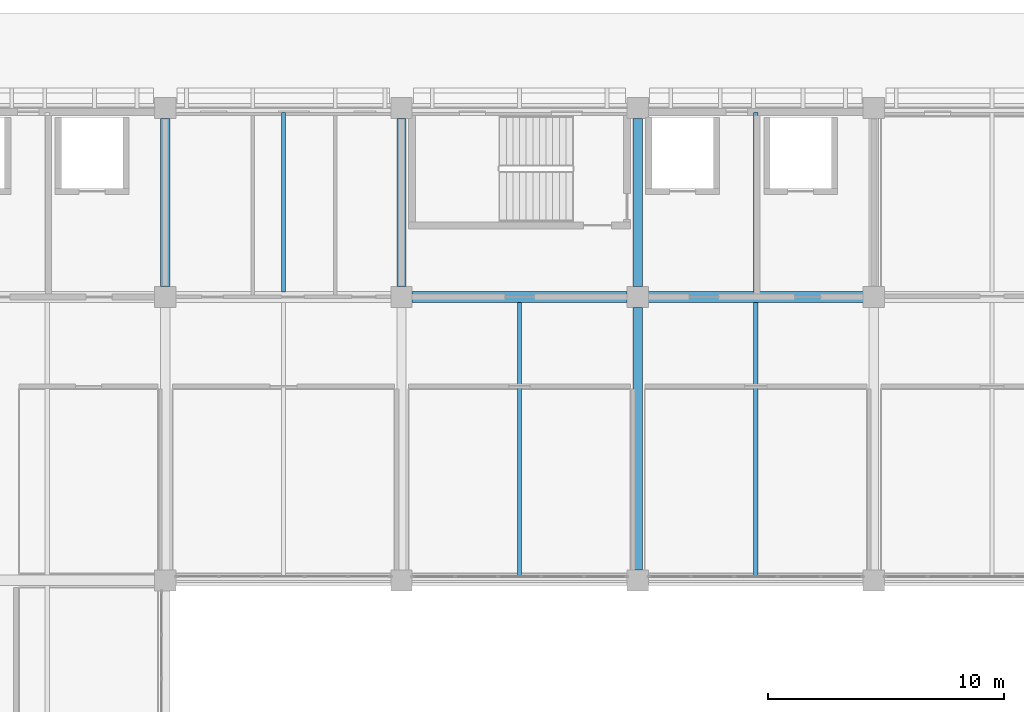
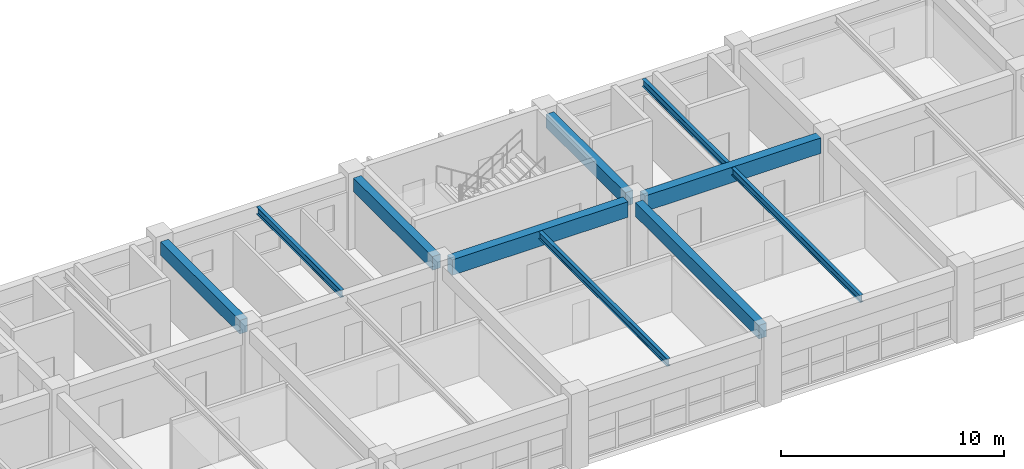
# One storey, part 59 of 100: 10 beams.
"""IFC4 building model written with IfcOpenShell, lengths in metres."""

from ifc_helpers import new_model, si_unit, direction, frame, origin, origin_2d, place, context, subcontext, project, spatial, rectangle, i_section, extrude, material, material_profile, profile_set, type_object, element, save


model = new_model("IFC4")

# Units and contexts
model_context = context("Model", 3, precision=1e-05, world=origin(), true_north=direction((0.0, 1.0)))
body_context = subcontext(model_context, "Body", "Model", "MODEL_VIEW")
ifc_project = project(units=[si_unit("LENGTHUNIT", "METRE"), si_unit("AREAUNIT", "SQUARE_METRE"), si_unit("VOLUMEUNIT", "CUBIC_METRE"), si_unit("PLANEANGLEUNIT", "RADIAN"), si_unit("MASSUNIT", "GRAM", prefix="KILO")], contexts=[model_context])

# Site, building, storey
site_placement = place(None, origin())
site = spatial("IfcSite", under=ifc_project, at=site_placement, CompositionType="ELEMENT")
building_placement = place(site_placement, origin())
building = spatial("IfcBuilding", under=site, at=building_placement, Name="Kivolera Central Railway Station", CompositionType="ELEMENT")
storey_placement = place(building_placement, frame((0.0, 0.0, 5.39990234375)))
storey = spatial("IfcBuildingStorey", under=building, at=storey_placement, Name="L01", CompositionType="ELEMENT", Elevation=5.39990234375)

# Beams
ifc_material_1 = material(Name="Steel S355", Category="steel")
ifc_material_profile_1 = material_profile(ifc_material_1, i_section(OverallWidth=0.179931640625, OverallDepth=0.39990234375, WebThickness=0.008544921875, FlangeThickness=0.013427734375, FilletRadius=0.02099609375, at=origin_2d()), Name="IPE 400")
ifc_profile_set_1 = profile_set([ifc_material_profile_1], Name="Steel S355")
beam_type_1 = type_object("IfcBeamType", Name="BM-JST-IPE400", PredefinedType="JOIST", material=ifc_profile_set_1)
beam_1_placement = place(storey_placement, frame((143.0, 126.217041015625, 3.668212890625), z_axis=(0.0, 1.0, 0.0), x_axis=(-1.0, 0.0, 0.0)))
element("IfcBeam", 1, at=beam_1_placement, inside=storey, type_object=beam_type_1, Name="L01 Floor Joist 14-15/L-M", PredefinedType="JOIST", context=body_context, shape_type="SweptSolid", body=[
    extrude(i_section(OverallWidth=0.179931640625, OverallDepth=0.39990234375, WebThickness=0.008544921875, FlangeThickness=0.013427734375, FilletRadius=0.02099609375, at=origin_2d()), origin(), (0.0, 0.0, 1.0), 7.591064453125),
])
for number, where, z_axis, x_axis, name in (
    (2, (153.0, 114.217041015625, 3.668212890625), (0.0, 1.0, 0.0), (-1.0, 0.0, 0.0), "L01 Floor Joist 15-16/K-L"),
    (3, (163.0, 114.217041015625, 3.668212890625), (0.0, 1.0, 0.0), (-1.0, 0.0, 0.0), "L01 Floor Joist 16-17/K-L"),
):
    element("IfcBeam", number, at=place(storey_placement, frame(where, z_axis=z_axis, x_axis=x_axis)), inside=storey, type_object=beam_type_1, Name=name, PredefinedType="JOIST", context=body_context, shape_type="SweptSolid", body=[
        extrude(i_section(OverallWidth=0.179931640625, OverallDepth=0.39990234375, WebThickness=0.008544921875, FlangeThickness=0.013427734375, FilletRadius=0.02099609375, at=origin_2d()), origin(), (0.0, 0.0, 1.0), 11.56591796875),
    ])
beam_2_placement = place(storey_placement, frame((163.0, 126.217041015625, 3.668212890625), z_axis=(0.0, 1.0, 0.0), x_axis=(-1.0, 0.0, 0.0)))
element("IfcBeam", 4, at=beam_2_placement, inside=storey, type_object=beam_type_1, Name="L01 Floor Joist 16-17/L-M", PredefinedType="JOIST", context=body_context, shape_type="SweptSolid", body=[
    extrude(i_section(OverallWidth=0.179931640625, OverallDepth=0.39990234375, WebThickness=0.008544921875, FlangeThickness=0.013427734375, FilletRadius=0.02099609375, at=origin_2d()), origin(), (0.0, 0.0, 1.0), 7.591064453125),
])
ifc_material_2 = material(Name="Concrete C40/50", Category="concrete")
ifc_material_profile_2 = material_profile(ifc_material_2, rectangle(XDim=0.39990234375, YDim=0.75, at=origin_2d()), Name="RC 400x750")
ifc_profile_set_2 = profile_set([ifc_material_profile_2], Name="Concrete C40/50")
beam_type_2 = type_object("IfcBeamType", Name="BM-RC-400x750", PredefinedType="BEAM", material=ifc_profile_set_2)
for number, where, z_axis, x_axis, name in (
    (5, (138.0, 126.44189453125, 3.505126953125), (0.0, 1.0, 0.0), (-1.0, 0.0, 0.0), "L01 Wing Y-Beam 14:L-M"),
    (6, (148.0, 126.44189453125, 3.505126953125), (0.0, 1.0, 0.0), (-1.0, 0.0, 0.0), "L01 Wing Y-Beam 15:L-M"),
):
    element("IfcBeam", number, at=place(storey_placement, frame(where, z_axis=z_axis, x_axis=x_axis)), inside=storey, type_object=beam_type_2, Name=name, PredefinedType="BEAM", context=body_context, shape_type="SweptSolid", body=[
        extrude(rectangle(XDim=0.39990234375, YDim=0.75, at=origin_2d()), origin(), (0.0, 0.0, 1.0), 7.1162109375),
    ])
beam_3_placement = place(storey_placement, frame((158.0, 114.44189453125, 3.505126953125), z_axis=(0.0, 1.0, 0.0), x_axis=(-1.0, 0.0, 0.0)))
element("IfcBeam", 7, at=beam_3_placement, inside=storey, type_object=beam_type_2, Name="L01 Wing Y-Beam 16:K-L", PredefinedType="BEAM", context=body_context, shape_type="SweptSolid", body=[
    extrude(rectangle(XDim=0.39990234375, YDim=0.75, at=origin_2d()), origin(), (0.0, 0.0, 1.0), 11.1162109375),
])
beam_4_placement = place(storey_placement, frame((158.0, 126.44189453125, 3.505126953125), z_axis=(0.0, 1.0, 0.0), x_axis=(-1.0, 0.0, 0.0)))
element("IfcBeam", 8, at=beam_4_placement, inside=storey, type_object=beam_type_2, Name="L01 Wing Y-Beam 16:L-M", PredefinedType="BEAM", context=body_context, shape_type="SweptSolid", body=[
    extrude(rectangle(XDim=0.39990234375, YDim=0.75, at=origin_2d()), origin(), (0.0, 0.0, 1.0), 7.1162109375),
])
ifc_material_profile_3 = material_profile(ifc_material_2, rectangle(XDim=0.449951171875, YDim=0.85009765625, at=origin_2d()), Name="RC 450x850")
ifc_profile_set_3 = profile_set([ifc_material_profile_3], Name="Concrete C40/50")
beam_type_3 = type_object("IfcBeamType", Name="BM-RC-450x850", PredefinedType="BEAM", material=ifc_profile_set_3)
for number, where, z_axis, x_axis, name in (
    (9, (148.44189453125, 126.0, 3.455078125), (1.0, 0.0, 0.0), (0.0, 1.0, 0.0), "L01 Wing X-Beam L:15-16"),
    (10, (158.44189453125, 126.0, 3.455078125), (1.0, 0.0, 0.0), (0.0, 1.0, 0.0), "L01 Wing X-Beam L:16-17"),
):
    element("IfcBeam", number, at=place(storey_placement, frame(where, z_axis=z_axis, x_axis=x_axis)), inside=storey, type_object=beam_type_3, Name=name, PredefinedType="BEAM", context=body_context, shape_type="SweptSolid", body=[
        extrude(rectangle(XDim=0.449951171875, YDim=0.85009765625, at=origin_2d()), origin(), (0.0, 0.0, 1.0), 9.1162109375),
    ])

save(model, "model.ifc")
